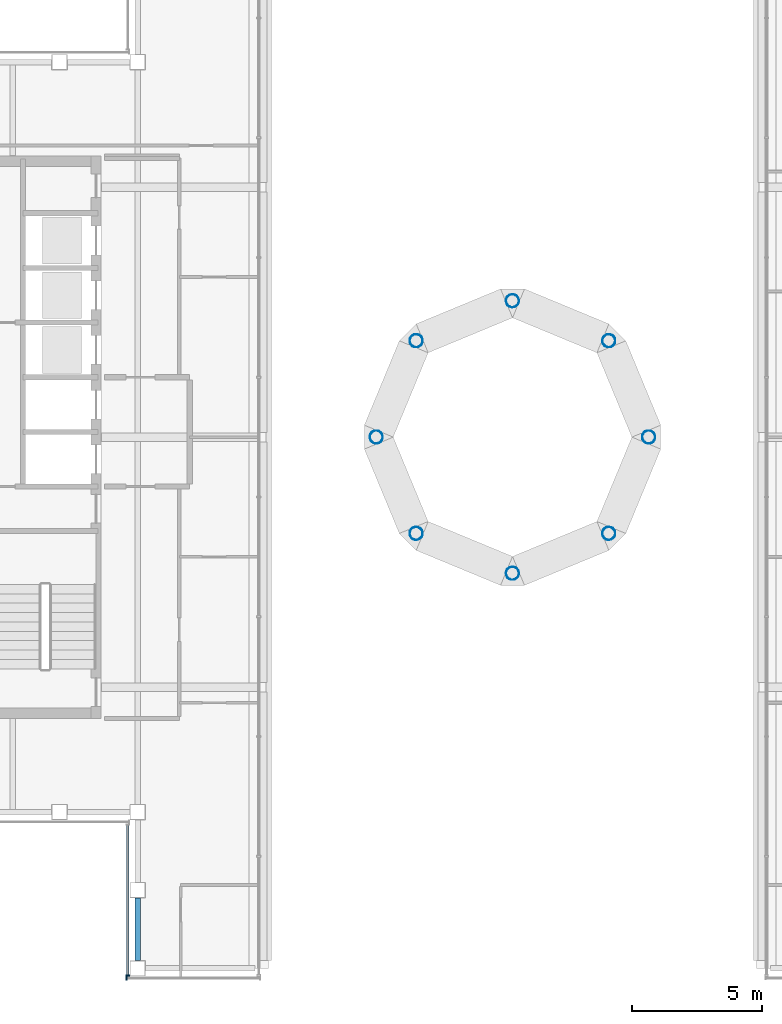
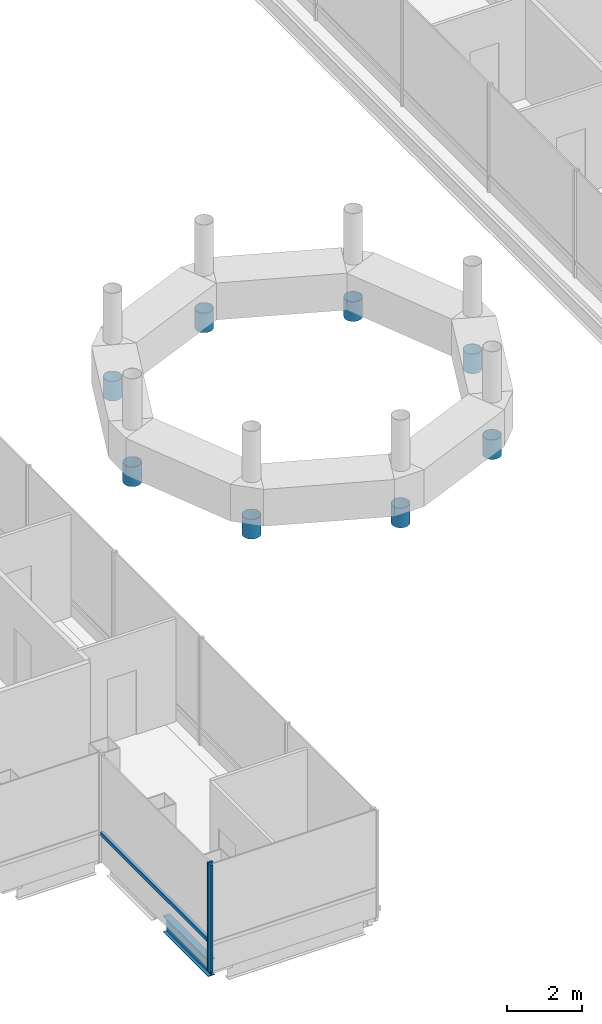
# One storey, part 3 of 21: 8 columns, 3 members, 1 beam, 2 elements without a shape of their own.
"""IFC4 building model written with IfcOpenShell, lengths in metres."""

from ifc_helpers import new_model, si_unit, direction, frame, origin, origin_2d, place, context, subcontext, project, spatial, rectangle, hollow_circle, i_section, extrude, material, material_profile, profile_set, type_object, element, aggregate, save


model = new_model("IFC4")

# Units and contexts
model_context = context("Model", 3, precision=1e-05, world=origin(), true_north=direction((0.0, 1.0)))
body_context = subcontext(model_context, "Body", "Model", "MODEL_VIEW")
ifc_project = project(units=[si_unit("LENGTHUNIT", "METRE"), si_unit("AREAUNIT", "SQUARE_METRE"), si_unit("VOLUMEUNIT", "CUBIC_METRE"), si_unit("PLANEANGLEUNIT", "RADIAN"), si_unit("MASSUNIT", "GRAM", prefix="KILO")], contexts=[model_context])

# Site, building, storey
site_placement = place(None, origin())
site = spatial("IfcSite", under=ifc_project, at=site_placement, CompositionType="ELEMENT")
building_placement = place(site_placement, origin())
building = spatial("IfcBuilding", under=site, at=building_placement, Name="Cobrizo Arcos Hotel Tower", CompositionType="ELEMENT")
storey_placement = place(building_placement, frame((0.0, 0.0, 279.5)))
storey = spatial("IfcBuildingStorey", under=building, at=storey_placement, Name="L74", CompositionType="ELEMENT", Elevation=279.5)

# Columns
ifc_material_1 = material(Name="Steel ASTM A500 Grade C", Category="steel")
ifc_material_profile_1 = material_profile(ifc_material_1, hollow_circle(Radius=0.25390625, WallThickness=0.01171875, at=origin_2d()), Name="HSS20.000X0.500")
ifc_profile_set_1 = profile_set([ifc_material_profile_1], Name="Steel ASTM A500 Grade C")
column_type = type_object("IfcColumnType", Name="HSS20.000X0.500 drum column", PredefinedType="COLUMN", material=ifc_profile_set_1)
for number, where, z_axis, x_axis, name in (
    (1, (5.232666015625, 0.0, 0.0), (0.0, 0.0, 1.0), (1.0, 0.0, 0.0), "Drum column DC1, tier 1, line 0, no. 2"),
    (2, (3.699951171875, 3.699951171875, 0.0), (0.0, 0.0, 1.0), (1.0, 0.0, 0.0), "Drum column DC2, tier 1, line 1, no. 2"),
    (3, (0.0, 5.232666015625, 0.0), (0.0, 0.0, 1.0), (1.0, 0.0, 0.0), "Drum column DC3, tier 1, line 2, no. 2"),
    (4, (-3.699951171875, 3.699951171875, 0.0), (0.0, 0.0, 1.0), (1.0, 0.0, 0.0), "Drum column DC4, tier 1, line 3, no. 2"),
    (5, (-5.232666015625, 0.0, 0.0), (0.0, 0.0, 1.0), (1.0, 0.0, 0.0), "Drum column DC5, tier 1, line 4, no. 2"),
    (6, (-3.699951171875, -3.699951171875, 0.0), (0.0, 0.0, 1.0), (1.0, 0.0, 0.0), "Drum column DC6, tier 1, line 5, no. 2"),
    (7, (0.0, -5.232666015625, 0.0), (0.0, 0.0, 1.0), (1.0, 0.0, 0.0), "Drum column DC7, tier 1, line 6, no. 2"),
    (8, (3.699951171875, -3.699951171875, 0.0), (0.0, 0.0, 1.0), (1.0, 0.0, 0.0), "Drum column DC8, tier 1, line 7, no. 2"),
):
    element("IfcColumn", number, at=place(storey_placement, frame(where, z_axis=z_axis, x_axis=x_axis)), inside=storey, type_object=column_type, Name=name, PredefinedType="COLUMN", context=body_context, shape_type="SweptSolid", body=[
        extrude(hollow_circle(Radius=0.25390625, WallThickness=0.01171875, at=origin_2d()), origin(), (0.0, 0.0, 1.0), 0.63330078125),
    ])

# Curtain wall, member
ifc_material_2 = material(Name="Aluminium 6063-T6 anodised bronze", Category="aluminium")
curtain_wall_type = type_object("IfcCurtainWallType", Name="CW-A guest facade", PredefinedType="NOTDEFINED", material=ifc_material_2)
curtain_wall_1_placement = place(storey_placement, origin())
curtain_wall_1 = element("IfcCurtainWall", 9, at=curtain_wall_1_placement, inside=storey, type_object=curtain_wall_type, Name="CW-A L74 S face", PredefinedType="NOTDEFINED")
ifc_material_profile_2 = material_profile(ifc_material_2, rectangle(XDim=0.14990234375, YDim=0.06005859375, at=origin_2d()), Name="CW-A mullion 150x60")
ifc_profile_set_2 = profile_set([ifc_material_profile_2], Name="Aluminium 6063-T6 anodised bronze")
member_type_1 = type_object("IfcMemberType", Name="CW-A mullion 150x60", PredefinedType="MULLION", material=ifc_profile_set_2)
member_1_placement = place(storey_placement, frame((-14.820068359375, -20.77490234375, 0.0), z_axis=(0.0, 0.0, 1.0), x_axis=(0.0, -1.0, 0.0)))
member_1 = element("IfcMember", 10, at=member_1_placement, type_object=member_type_1, Name="CW-A mullion 1", PredefinedType="MULLION", context=body_context, shape_type="SweptSolid", body=[
    extrude(rectangle(XDim=0.14990234375, YDim=0.06005859375, at=origin_2d()), origin(), (0.0, 0.0, 1.0), 3.5),
])
aggregate(curtain_wall_1, [member_1])

# Curtain wall, members
curtain_wall_2_placement = place(storey_placement, origin())
curtain_wall_2 = element("IfcCurtainWall", 11, at=curtain_wall_2_placement, inside=storey, type_object=curtain_wall_type, Name="CW-A L74 W face", PredefinedType="NOTDEFINED")
member_2_placement = place(storey_placement, frame((-14.77490234375, -20.669921875, 0.0), z_axis=(0.0, 0.0, 1.0), x_axis=(-1.0, 0.0, 0.0)))
member_2 = element("IfcMember", 12, at=member_2_placement, type_object=member_type_1, Name="CW-A mullion 2", PredefinedType="MULLION", context=body_context, shape_type="SweptSolid", body=[
    extrude(rectangle(XDim=0.14990234375, YDim=0.06005859375, at=origin_2d()), origin(), (0.0, 0.0, 1.0), 3.5),
])
ifc_material_profile_3 = material_profile(ifc_material_2, rectangle(XDim=0.10009765625, YDim=0.1201171875, at=origin_2d()), Name="CW-A transom 120x100")
ifc_profile_set_3 = profile_set([ifc_material_profile_3], Name="Aluminium 6063-T6 anodised bronze")
member_type_2 = type_object("IfcMemberType", Name="CW-A transom 120x100", PredefinedType="USERDEFINED", material=ifc_profile_set_3)
member_3_placement = place(storey_placement, frame((-14.77490234375, -14.909912109375, 0.929931640625), z_axis=(0.0, -1.0, 0.0), x_axis=(1.0, 0.0, 0.0)))
member_3 = element("IfcMember", 13, at=member_3_placement, type_object=member_type_2, Name="CW-A transom 2357", ObjectType="TRANSOM", PredefinedType="USERDEFINED", context=body_context, shape_type="SweptSolid", body=[
    extrude(rectangle(XDim=0.10009765625, YDim=0.1201171875, at=origin_2d()), origin(), (0.0, 0.0, 1.0), 5.72998046875),
])
aggregate(curtain_wall_2, [member_2, member_3])

# Beam
ifc_material_3 = material(Name="Steel ASTM A992 Grade 50", Category="steel")
ifc_material_profile_4 = material_profile(ifc_material_3, i_section(OverallWidth=0.209228515625, OverallDepth=0.533447265625, WebThickness=0.01025390625, FlangeThickness=0.015625, at=origin_2d()), Name="W21X62")
ifc_profile_set_4 = profile_set([ifc_material_profile_4], Name="Steel ASTM A992 Grade 50")
beam_type = type_object("IfcBeamType", Name="W21X62 spandrel", PredefinedType="SPANDREL", material=ifc_profile_set_4)
beam_placement = place(storey_placement, frame((-14.39990234375, -20.10009765625, -0.416748046875), z_axis=(0.0, 1.0, 0.0), x_axis=(-1.0, 0.0, 0.0)))
element("IfcBeam", 14, at=beam_placement, inside=storey, type_object=beam_type, Name="Spandrel beam W21X62, L74, no. 010", PredefinedType="SPANDREL", context=body_context, shape_type="SweptSolid", body=[
    extrude(i_section(OverallWidth=0.209228515625, OverallDepth=0.533447265625, WebThickness=0.01025390625, FlangeThickness=0.015625, at=origin_2d()), origin(), (0.0, 0.0, 1.0), 2.400146484375),
])

save(model, "model.ifc")
